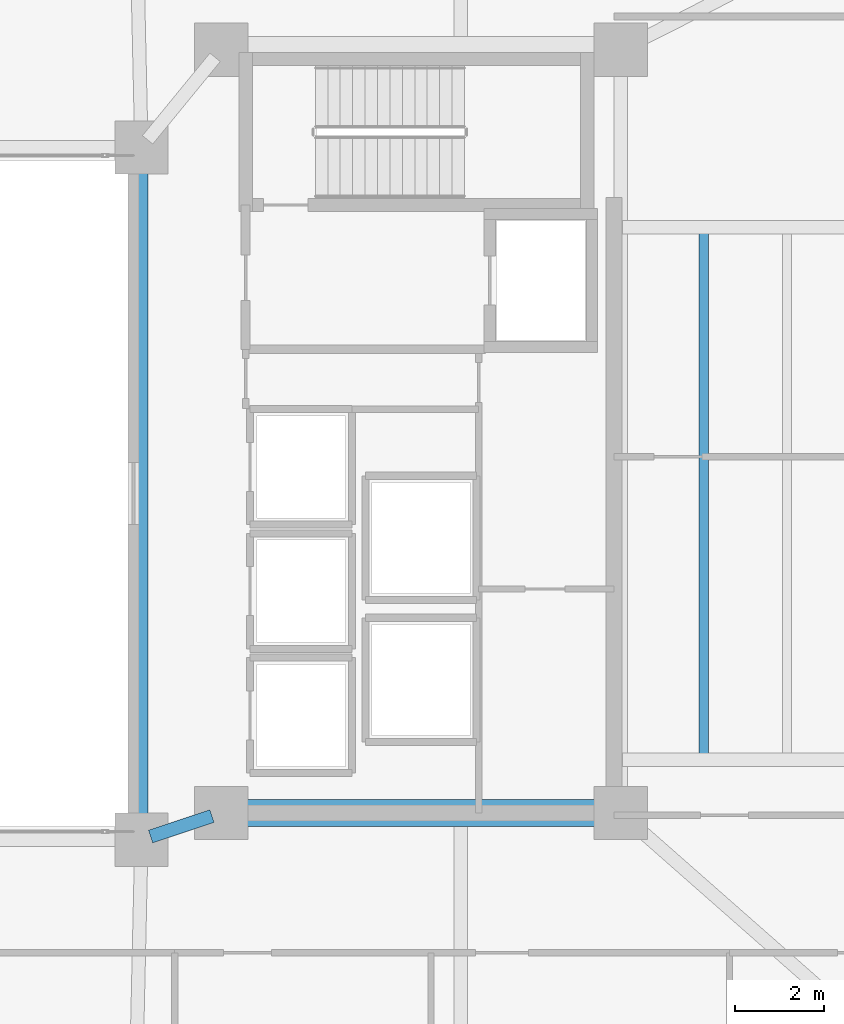
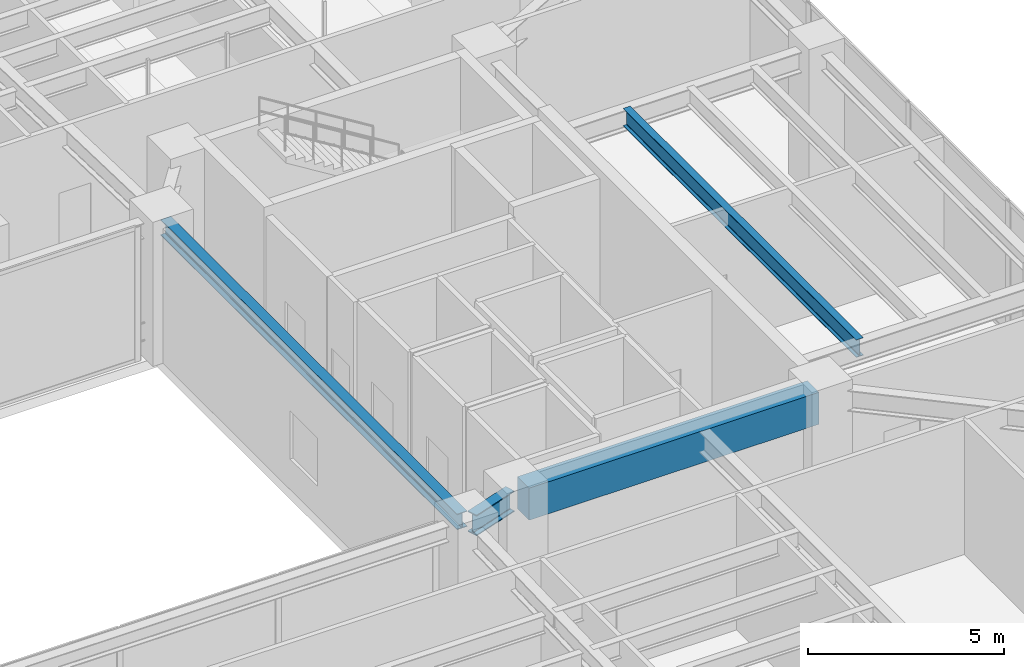
# One storey, part 16 of 37: 4 beams.
"""IFC4 building model written with IfcOpenShell, lengths in metres."""

from ifc_helpers import new_model, si_unit, direction, frame, origin, origin_2d, place, context, subcontext, project, spatial, rectangle, i_section, extrude, material, material_profile, profile_set, type_object, element, save


model = new_model("IFC4")

# Units and contexts
model_context = context("Model", 3, precision=1e-05, world=origin(), true_north=direction((0.0, 1.0)))
body_context = subcontext(model_context, "Body", "Model", "MODEL_VIEW")
ifc_project = project(units=[si_unit("LENGTHUNIT", "METRE"), si_unit("AREAUNIT", "SQUARE_METRE"), si_unit("VOLUMEUNIT", "CUBIC_METRE"), si_unit("PLANEANGLEUNIT", "RADIAN"), si_unit("MASSUNIT", "GRAM", prefix="KILO")], contexts=[model_context])

# Site, building, storey
site_placement = place(None, origin())
site = spatial("IfcSite", under=ifc_project, at=site_placement, CompositionType="ELEMENT")
building_placement = place(site_placement, origin())
building = spatial("IfcBuilding", under=site, at=building_placement, Name="Tarnavaz Court Tower", CompositionType="ELEMENT")
storey_placement = place(building_placement, frame((0.0, 0.0, 118.5)))
storey = spatial("IfcBuildingStorey", under=building, at=storey_placement, Name="L32", CompositionType="ELEMENT", Elevation=118.5)

# Beams
ifc_material_1 = material(Name="Concrete C60/75", Category="concrete")
ifc_material_profile_1 = material_profile(ifc_material_1, rectangle(XDim=0.60009765625, YDim=1.0, at=origin_2d()), Name="RC 600X1000")
ifc_profile_set_1 = profile_set([ifc_material_profile_1], Name="Concrete C60/75")
beam_type_1 = type_object("IfcBeamType", Name="BM-CB1000", PredefinedType="LINTEL", material=ifc_profile_set_1)
beam_1_placement = place(storey_placement, frame((18.3798828125, -7.199951171875, 3.699951171875), z_axis=(-1.0, 0.0, 0.0), x_axis=(0.0, -1.0, 0.0)))
element("IfcBeam", 1, at=beam_1_placement, inside=storey, type_object=beam_type_1, Name="L32 Beam IN-CE-SO-CE-SI", PredefinedType="LINTEL", context=body_context, shape_type="SweptSolid", body=[
    extrude(rectangle(XDim=0.60009765625, YDim=1.0, at=origin_2d()), origin(), (0.0, 0.0, 1.0), 8.559814453125),
])
ifc_material_2 = material(Name="Steel S355", Category="steel")
ifc_material_profile_2 = material_profile(ifc_material_2, i_section(OverallWidth=0.300048828125, OverallDepth=0.64990234375, WebThickness=0.01611328125, FlangeThickness=0.031005859375, FilletRadius=0.027099609375, at=origin_2d()), Name="HEB 650")
ifc_profile_set_2 = profile_set([ifc_material_profile_2], Name="Steel S355")
beam_type_2 = type_object("IfcBeamType", Name="BM-G-HEB650", PredefinedType="USERDEFINED", material=ifc_profile_set_2)
beam_2_placement = place(storey_placement, frame((9.391357421875, -7.26953125, 3.875), z_axis=(-0.948666544706, -0.316278021615, 0.0), x_axis=(0.316278021615, -0.948666544706, 0.0)))
element("IfcBeam", 2, at=beam_2_placement, inside=storey, type_object=beam_type_2, Name="L32 Beam IN-CE-SI-IW-SE", ObjectType="GIRDER", PredefinedType="USERDEFINED", context=body_context, shape_type="SweptSolid", body=[
    extrude(i_section(OverallWidth=0.300048828125, OverallDepth=0.64990234375, WebThickness=0.01611328125, FlangeThickness=0.031005859375, FilletRadius=0.027099609375, at=origin_2d()), origin(), (0.0, 0.0, 1.0), 1.457275390625),
])
ifc_material_profile_3 = material_profile(ifc_material_2, i_section(OverallWidth=0.2099609375, OverallDepth=0.550048828125, WebThickness=0.010986328125, FlangeThickness=0.01708984375, FilletRadius=0.02392578125, at=origin_2d()), Name="IPE 550")
ifc_profile_set_3 = profile_set([ifc_material_profile_3], Name="Steel S355")
beam_type_3 = type_object("IfcBeamType", Name="BM-J-IPE550", PredefinedType="JOIST", material=ifc_profile_set_3)
beam_3_placement = place(storey_placement, frame((20.47509765625, -5.9599609375, 3.925048828125), z_axis=(0.0, 1.0, 0.0), x_axis=(-1.0, 0.0, 0.0)))
element("IfcBeam", 3, at=beam_3_placement, inside=storey, type_object=beam_type_3, Name="L32 Beam JE1", PredefinedType="JOIST", context=body_context, shape_type="SweptSolid", body=[
    extrude(i_section(OverallWidth=0.2099609375, OverallDepth=0.550048828125, WebThickness=0.010986328125, FlangeThickness=0.01708984375, FilletRadius=0.02392578125, at=origin_2d()), origin(), (0.0, 0.0, 1.0), 11.919921875),
])
ifc_material_profile_4 = material_profile(ifc_material_2, i_section(OverallWidth=0.300048828125, OverallDepth=0.489990234375, WebThickness=0.011962890625, FlangeThickness=0.02294921875, FilletRadius=0.027099609375, at=origin_2d()), Name="HEA 500")
ifc_profile_set_4 = profile_set([ifc_material_profile_4], Name="Steel S355")
beam_type_4 = type_object("IfcBeamType", Name="BM-SP-HEA500", PredefinedType="SPANDREL", material=ifc_profile_set_4)
beam_4_placement = place(storey_placement, frame((7.800048828125, -7.580078125, 3.955078125), z_axis=(0.0, 1.0, 0.0), x_axis=(-1.0, 0.0, 0.0)))
element("IfcBeam", 4, at=beam_4_placement, inside=storey, type_object=beam_type_4, Name="L32 Beam IN-IW-SE-IW-NE", PredefinedType="SPANDREL", context=body_context, shape_type="SweptSolid", body=[
    extrude(i_section(OverallWidth=0.300048828125, OverallDepth=0.489990234375, WebThickness=0.011962890625, FlangeThickness=0.02294921875, FilletRadius=0.027099609375, at=origin_2d()), origin(), (0.0, 0.0, 1.0), 15.16015625),
])

save(model, "model.ifc")
